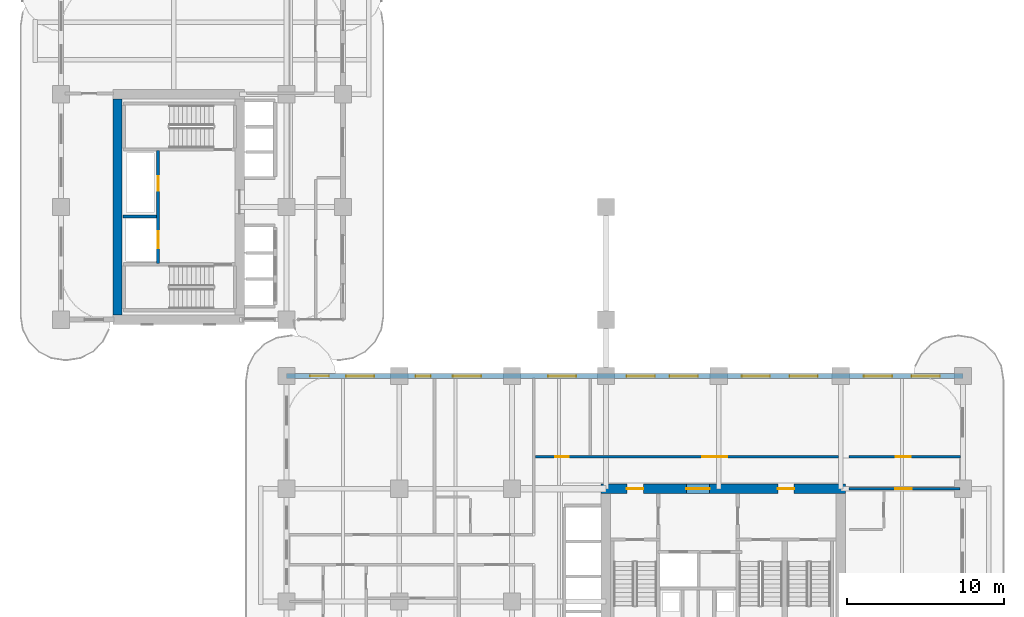
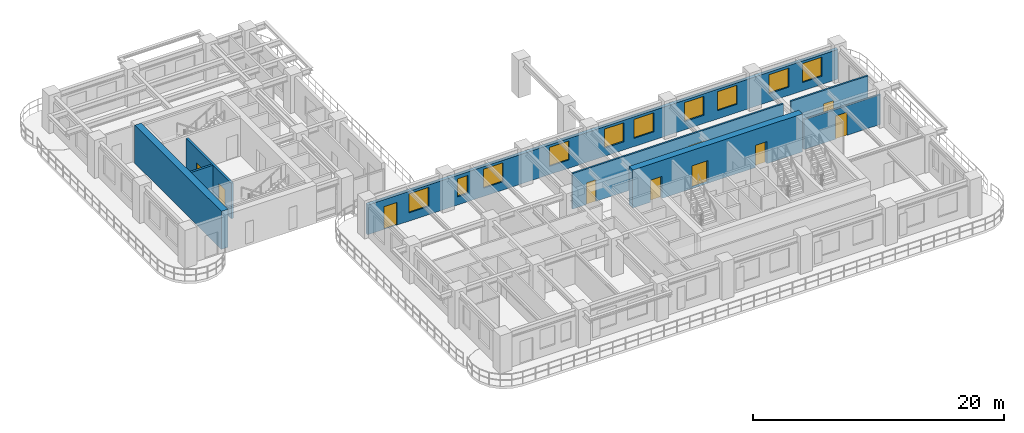
# One storey, part 10 of 19: 10 doors, 10 windows, 8 walls, 20 openings.
"""IFC4 building model written with IfcOpenShell, lengths in metres."""

from ifc_helpers import new_model, si_unit, derived_unit, direction, frame, frame_2d, origin, place, context, subcontext, project, spatial, rectangle, extrude, source, transform, mapped, material, layer, layer_set, type_object, type_shapes, element, fill, save


model = new_model("IFC4")

# Units and contexts
model_context = context("Model", 3, precision=1e-05, world=origin(), true_north=direction((0.0, 1.0)))
body_context = subcontext(model_context, "Body", "Model", "MODEL_VIEW")
ifc_project = project(units=[si_unit("LENGTHUNIT", "METRE"), si_unit("AREAUNIT", "SQUARE_METRE"), si_unit("VOLUMEUNIT", "CUBIC_METRE"), si_unit("PLANEANGLEUNIT", "RADIAN"), si_unit("MASSUNIT", "GRAM", prefix="KILO"), si_unit("THERMODYNAMICTEMPERATUREUNIT", "KELVIN"), si_unit("POWERUNIT", "WATT"), derived_unit("THERMALTRANSMITTANCEUNIT", [(si_unit("POWERUNIT", "WATT"), 1), (si_unit("AREAUNIT", "SQUARE_METRE"), -1), (si_unit("THERMODYNAMICTEMPERATUREUNIT", "KELVIN"), -1)])], contexts=[model_context])

# Site, building, storey
site_placement = place(None, origin())
site = spatial("IfcSite", under=ifc_project, at=site_placement, CompositionType="ELEMENT")
building_placement = place(site_placement, origin())
building = spatial("IfcBuilding", under=site, at=building_placement, Name="Zahravan Archway Hotel and Residences", CompositionType="ELEMENT")
storey_placement = place(building_placement, frame((0.0, 0.0, 62.0)))
storey = spatial("IfcBuildingStorey", under=building, at=storey_placement, Name="L14", CompositionType="ELEMENT", Elevation=62.0)

# Wall, openings, doors
ifc_material_1 = material(Name="Concrete C70/85", Category="concrete")
ifc_layer_1 = layer(ifc_material_1, 0.60009765625, Name="Concrete C70/85", Category="concrete")
ifc_layer_set_1 = layer_set([ifc_layer_1], Name="Concrete C70/85")
wall_type_1 = type_object("IfcWallType", Name="CW-CORE-600", PredefinedType="SHEAR", material=ifc_layer_set_1)
wall_1_placement = place(storey_placement, frame((34.5, 14.39990234375, 0.0), z_axis=(0.0, 0.0, 1.0), x_axis=(1.0, 0.0, 0.0)))
wall_1 = element("IfcWall", 1, at=wall_1_placement, inside=storey, type_object=wall_type_1, Name="L14 Core A Shear N Wall 600 mm", PredefinedType="SHEAR", context=body_context, shape_type="SweptSolid", body=[
    extrude(rectangle(XDim=15.60009765625, YDim=0.60009765625, at=frame_2d((7.800048828125, 0.0))), origin(), (0.0, 0.0, 1.0), 3.699951171875),
])
opening_1_placement = place(wall_1_placement, frame((5.429931640625, 0.0, 0.0)))
opening_1 = element("IfcOpeningElement", 2, at=opening_1_placement, cuts=wall_1, Name="Opening FD-L1", PredefinedType="OPENING", context=body_context, shape_type="SweptSolid", body=[
    extrude(rectangle(XDim=1.5, YDim=2.199951171875, at=frame_2d((0.75, 1.10009765625))), frame((0.0, 0.31005859375, 0.0), z_axis=(0.0, -1.0, 0.0), x_axis=(1.0, 0.0, 0.0)), (0.0, 0.0, 1.0), 0.6201171875),
])
opening_2_placement = place(wall_1_placement, frame((1.64501953125, 0.0, 0.0)))
opening_2 = element("IfcOpeningElement", 3, at=opening_2_placement, cuts=wall_1, Name="Opening FD-L2", PredefinedType="OPENING", context=body_context, shape_type="SweptSolid", body=[
    extrude(rectangle(XDim=1.050048828125, YDim=2.14990234375, at=frame_2d((0.52490234375, 1.074951171875))), frame((0.0, 0.31005859375, 0.0), z_axis=(0.0, -1.0, 0.0), x_axis=(1.0, 0.0, 0.0)), (0.0, 0.0, 1.0), 0.6201171875),
])
opening_3_placement = place(wall_1_placement, frame((11.27490234375, 0.0, 0.0)))
opening_3 = element("IfcOpeningElement", 4, at=opening_3_placement, cuts=wall_1, Name="Opening FD-L2", PredefinedType="OPENING", context=body_context, shape_type="SweptSolid", body=[
    extrude(rectangle(XDim=1.050048828125, YDim=2.14990234375, at=frame_2d((0.52490234375, 1.074951171875))), frame((0.0, 0.31005859375, 0.0), z_axis=(0.0, -1.0, 0.0), x_axis=(1.0, 0.0, 0.0)), (0.0, 0.0, 1.0), 0.6201171875),
])
ifc_material_2 = material(Name="Fire-Rated Painted Steel", Category="steel")
door_type_1 = type_object("IfcDoorType", Name="FD-LOBBY-1100", OperationType="NOTDEFINED", PredefinedType="DOOR", material=ifc_material_2)
shared_shape_1 = source(origin(), body_context, "Body", "SweptSolid", [
    extrude(rectangle(XDim=1.050048828125, YDim=2.14990234375, at=frame_2d((0.52490234375, 1.074951171875))), frame((0.0, 0.02490234375, 0.0), z_axis=(0.0, -1.0, 0.0), x_axis=(1.0, 0.0, 0.0)), (0.0, 0.0, 1.0), 0.050048828125),
])
type_shapes(door_type_1, [shared_shape_1])
door_1_placement = place(opening_2_placement, origin())
door_1 = element("IfcDoor", 5, at=door_1_placement, inside=storey, type_object=door_type_1, Name="L14 Core A West Stair Lobby Door", OperationType="SINGLE_SWING_RIGHT", OverallHeight=2.14990234375, OverallWidth=1.050048828125, PredefinedType="DOOR", context=body_context, shape_type="MappedRepresentation", body=[
    mapped(shared_shape_1, transform((0.0, 0.0, 0.0), scale=1.0)),
])
fill(opening_2, door_1)
door_2_placement = place(opening_3_placement, origin())
door_2 = element("IfcDoor", 6, at=door_2_placement, inside=storey, type_object=door_type_1, Name="L14 Core A East Stair Lobby Door", OperationType="SINGLE_SWING_LEFT", OverallHeight=2.14990234375, OverallWidth=1.050048828125, PredefinedType="DOOR", context=body_context, shape_type="MappedRepresentation", body=[
    mapped(shared_shape_1, transform((0.0, 0.0, 0.0), scale=1.0)),
])
fill(opening_3, door_2)
door_type_2 = type_object("IfcDoorType", Name="FD-LOBBY-1500", OperationType="DOUBLE_DOOR_SINGLE_SWING", PredefinedType="DOOR", material=ifc_material_2)
shared_shape_2 = source(origin(), body_context, "Body", "SweptSolid", [
    extrude(rectangle(XDim=1.5, YDim=2.199951171875, at=frame_2d((0.75, 1.10009765625))), frame((0.0, 0.02490234375, 0.0), z_axis=(0.0, -1.0, 0.0), x_axis=(1.0, 0.0, 0.0)), (0.0, 0.0, 1.0), 0.050048828125),
])
type_shapes(door_type_2, [shared_shape_2])
door_3_placement = place(opening_1_placement, origin())
door_3 = element("IfcDoor", 7, at=door_3_placement, inside=storey, type_object=door_type_2, Name="L14 Core A FSAE Lobby Main Door", OperationType="DOUBLE_DOOR_SINGLE_SWING", OverallHeight=2.199951171875, OverallWidth=1.5, PredefinedType="DOOR", context=body_context, shape_type="MappedRepresentation", body=[
    mapped(shared_shape_2, transform((0.0, 0.0, 0.0), scale=1.0)),
])
fill(opening_1, door_3)

# Wall
wall_2_placement = place(storey_placement, frame((3.60009765625, 25.5, 0.0), z_axis=(0.0, 0.0, 1.0), x_axis=(0.0, 1.0, 0.0)))
element("IfcWall", 8, at=wall_2_placement, inside=storey, type_object=wall_type_1, Name="L14 Core B Shear W Wall 600 mm", PredefinedType="SHEAR", context=body_context, shape_type="SweptSolid", body=[
    extrude(rectangle(XDim=13.800048828125, YDim=0.60009765625, at=frame_2d((6.89990234375, 0.0))), origin(), (0.0, 0.0, 1.0), 3.699951171875),
])

# Wall, openings, door, windows
ifc_material_3 = material(Name="Agra Buff Sandstone & Insulated Backup", Category="masonry")
ifc_layer_2 = layer(ifc_material_3, 0.320068359375, Name="Agra Buff Sandstone & Insulated Backup", Category="masonry")
ifc_layer_set_2 = layer_set([ifc_layer_2], Name="Agra Buff Sandstone & Insulated Backup")
wall_type_2 = type_object("IfcWallType", Name="EW-SAND-320", PredefinedType="SOLIDWALL", material=ifc_layer_set_2)
wall_3_placement = place(storey_placement, frame((14.39990234375, 21.60009765625, 0.0), z_axis=(0.0, 0.0, 1.0), x_axis=(1.0, 0.0, 0.0)))
wall_3 = element("IfcWall", 9, at=wall_3_placement, inside=storey, type_object=wall_type_2, Name="L14 Exterior Sandstone Wall WA-NE", PredefinedType="SOLIDWALL", context=body_context, shape_type="SweptSolid", body=[
    extrude(rectangle(XDim=43.2001953125, YDim=0.320068359375, at=frame_2d((21.60009765625, 0.0))), origin(), (0.0, 0.0, 1.0), 2.885009765625),
])
opening_4_placement = place(wall_3_placement, frame((1.5, 0.0, 0.0)))
opening_4 = element("IfcOpeningElement", 10, at=opening_4_placement, cuts=wall_3, Name="Opening ED-BL1", PredefinedType="OPENING", context=body_context, shape_type="SweptSolid", body=[
    extrude(rectangle(XDim=1.199951171875, YDim=2.199951171875, at=frame_2d((0.60009765625, 1.10009765625))), frame((0.0, 0.169921875, 0.0), z_axis=(0.0, -1.0, 0.0), x_axis=(1.0, 0.0, 0.0)), (0.0, 0.0, 1.0), 0.340087890625),
])
opening_5_placement = place(wall_3_placement, frame((3.800048828125, 0.0, 0.800048828125)))
opening_5 = element("IfcOpeningElement", 11, at=opening_5_placement, cuts=wall_3, Name="Opening W-02", PredefinedType="OPENING", context=body_context, shape_type="SweptSolid", body=[
    extrude(rectangle(XDim=1.800048828125, YDim=1.85009765625, at=frame_2d((0.89990234375, 0.925048828125))), frame((0.0, 0.169921875, 0.0), z_axis=(0.0, -1.0, 0.0), x_axis=(1.0, 0.0, 0.0)), (0.0, 0.0, 1.0), 0.340087890625),
])
opening_6_placement = place(wall_3_placement, frame((8.24609375, 0.0, 0.800048828125)))
opening_6 = element("IfcOpeningElement", 12, at=opening_6_placement, cuts=wall_3, Name="Opening W-04", PredefinedType="OPENING", context=body_context, shape_type="SweptSolid", body=[
    extrude(rectangle(XDim=0.949951171875, YDim=1.75, at=frame_2d((0.47509765625, 0.875))), frame((0.0, 0.169921875, 0.0), z_axis=(0.0, -1.0, 0.0), x_axis=(1.0, 0.0, 0.0)), (0.0, 0.0, 1.0), 0.340087890625),
])
opening_7_placement = place(wall_3_placement, frame((10.62890625, 0.0, 0.800048828125)))
opening_7 = element("IfcOpeningElement", 13, at=opening_7_placement, cuts=wall_3, Name="Opening W-02", PredefinedType="OPENING", context=body_context, shape_type="SweptSolid", body=[
    extrude(rectangle(XDim=1.800048828125, YDim=1.85009765625, at=frame_2d((0.89990234375, 0.925048828125))), frame((0.0, 0.169921875, 0.0), z_axis=(0.0, -1.0, 0.0), x_axis=(1.0, 0.0, 0.0)), (0.0, 0.0, 1.0), 0.340087890625),
])
opening_8_placement = place(wall_3_placement, frame((16.700927734375, 0.0, 0.800048828125)))
opening_8 = element("IfcOpeningElement", 14, at=opening_8_placement, cuts=wall_3, Name="Opening W-02", PredefinedType="OPENING", context=body_context, shape_type="SweptSolid", body=[
    extrude(rectangle(XDim=1.800048828125, YDim=1.85009765625, at=frame_2d((0.89990234375, 0.925048828125))), frame((0.0, 0.169921875, 0.0), z_axis=(0.0, -1.0, 0.0), x_axis=(1.0, 0.0, 0.0)), (0.0, 0.0, 1.0), 0.340087890625),
])
opening_9_placement = place(wall_3_placement, frame((21.72509765625, 0.0, 0.800048828125)))
opening_9 = element("IfcOpeningElement", 15, at=opening_9_placement, cuts=wall_3, Name="Opening W-02", PredefinedType="OPENING", context=body_context, shape_type="SweptSolid", body=[
    extrude(rectangle(XDim=1.800048828125, YDim=1.85009765625, at=frame_2d((0.89990234375, 0.925048828125))), frame((0.0, 0.169921875, 0.0), z_axis=(0.0, -1.0, 0.0), x_axis=(1.0, 0.0, 0.0)), (0.0, 0.0, 1.0), 0.340087890625),
])
opening_10_placement = place(wall_3_placement, frame((24.47509765625, 0.0, 0.800048828125)))
opening_10 = element("IfcOpeningElement", 16, at=opening_10_placement, cuts=wall_3, Name="Opening W-02", PredefinedType="OPENING", context=body_context, shape_type="SweptSolid", body=[
    extrude(rectangle(XDim=1.800048828125, YDim=1.85009765625, at=frame_2d((0.89990234375, 0.925048828125))), frame((0.0, 0.169921875, 0.0), z_axis=(0.0, -1.0, 0.0), x_axis=(1.0, 0.0, 0.0)), (0.0, 0.0, 1.0), 0.340087890625),
])
opening_11_placement = place(wall_3_placement, frame((29.074951171875, 0.0, 0.800048828125)))
opening_11 = element("IfcOpeningElement", 17, at=opening_11_placement, cuts=wall_3, Name="Opening W-02", PredefinedType="OPENING", context=body_context, shape_type="SweptSolid", body=[
    extrude(rectangle(XDim=1.800048828125, YDim=1.85009765625, at=frame_2d((0.89990234375, 0.925048828125))), frame((0.0, 0.169921875, 0.0), z_axis=(0.0, -1.0, 0.0), x_axis=(1.0, 0.0, 0.0)), (0.0, 0.0, 1.0), 0.340087890625),
])
opening_12_placement = place(wall_3_placement, frame((32.125, 0.0, 0.800048828125)))
opening_12 = element("IfcOpeningElement", 18, at=opening_12_placement, cuts=wall_3, Name="Opening W-02", PredefinedType="OPENING", context=body_context, shape_type="SweptSolid", body=[
    extrude(rectangle(XDim=1.800048828125, YDim=1.85009765625, at=frame_2d((0.89990234375, 0.925048828125))), frame((0.0, 0.169921875, 0.0), z_axis=(0.0, -1.0, 0.0), x_axis=(1.0, 0.0, 0.0)), (0.0, 0.0, 1.0), 0.340087890625),
])
opening_13_placement = place(wall_3_placement, frame((36.875, 0.0, 0.800048828125)))
opening_13 = element("IfcOpeningElement", 19, at=opening_13_placement, cuts=wall_3, Name="Opening W-02", PredefinedType="OPENING", context=body_context, shape_type="SweptSolid", body=[
    extrude(rectangle(XDim=1.800048828125, YDim=1.85009765625, at=frame_2d((0.89990234375, 0.925048828125))), frame((0.0, 0.169921875, 0.0), z_axis=(0.0, -1.0, 0.0), x_axis=(1.0, 0.0, 0.0)), (0.0, 0.0, 1.0), 0.340087890625),
])
opening_14_placement = place(wall_3_placement, frame((39.925048828125, 0.0, 0.800048828125)))
opening_14 = element("IfcOpeningElement", 20, at=opening_14_placement, cuts=wall_3, Name="Opening W-02", PredefinedType="OPENING", context=body_context, shape_type="SweptSolid", body=[
    extrude(rectangle(XDim=1.800048828125, YDim=1.85009765625, at=frame_2d((0.89990234375, 0.925048828125))), frame((0.0, 0.169921875, 0.0), z_axis=(0.0, -1.0, 0.0), x_axis=(1.0, 0.0, 0.0)), (0.0, 0.0, 1.0), 0.340087890625),
])
ifc_material_4 = material(Name="Bronze-Anodized Glazed Aluminium", Category="aluminium")
door_type_3 = type_object("IfcDoorType", Name="ED-BALC-1200", OperationType="SLIDING_TO_LEFT", PredefinedType="DOOR", material=ifc_material_4)
shared_shape_3 = source(origin(), body_context, "Body", "SweptSolid", [
    extrude(rectangle(XDim=1.199951171875, YDim=2.199951171875, at=frame_2d((0.60009765625, 1.10009765625))), frame((0.0, 0.02490234375, 0.0), z_axis=(0.0, -1.0, 0.0), x_axis=(1.0, 0.0, 0.0)), (0.0, 0.0, 1.0), 0.050048828125),
])
type_shapes(door_type_3, [shared_shape_3])
door_4_placement = place(opening_4_placement, origin())
door_4 = element("IfcDoor", 21, at=door_4_placement, inside=storey, type_object=door_type_3, Name="L14 Outdoor Access Sliding Door (SLB-BAL-L14-WA)", OperationType="SLIDING_TO_LEFT", OverallHeight=2.199951171875, OverallWidth=1.199951171875, PredefinedType="DOOR", context=body_context, shape_type="MappedRepresentation", body=[
    mapped(shared_shape_3, transform((0.0, 0.0, 0.0), scale=1.0)),
])
fill(opening_4, door_4)
ifc_material_5 = material(Name="Bronze-Anodized Thermal-Break Aluminium & Low-E Glass", Category="aluminium")
window_type_1 = type_object("IfcWindowType", Name="WIN-NAR-950", PartitioningType="SINGLE_PANEL", PredefinedType="WINDOW", material=ifc_material_5)
shared_shape_4 = source(origin(), body_context, "Body", "SweptSolid", [
    extrude(rectangle(XDim=0.949951171875, YDim=1.75, at=frame_2d((0.47509765625, 0.875))), frame((0.0, 0.030029296875, 0.0), z_axis=(0.0, -1.0, 0.0), x_axis=(1.0, 0.0, 0.0)), (0.0, 0.0, 1.0), 0.06005859375),
])
type_shapes(window_type_1, [shared_shape_4])
window_1_placement = place(opening_6_placement, origin())
window_1 = element("IfcWindow", 22, at=window_1_placement, inside=storey, type_object=window_type_1, Name="L14 Loggia Window 18", OverallHeight=1.75, OverallWidth=0.949951171875, PartitioningType="SINGLE_PANEL", PredefinedType="WINDOW", context=body_context, shape_type="MappedRepresentation", body=[
    mapped(shared_shape_4, transform((0.0, 0.0, 0.0), scale=1.0)),
])
fill(opening_6, window_1)
window_type_2 = type_object("IfcWindowType", Name="WIN-TWR-1800", PartitioningType="DOUBLE_PANEL_VERTICAL", PredefinedType="WINDOW", material=ifc_material_5)
shared_shape_5 = source(origin(), body_context, "Body", "SweptSolid", [
    extrude(rectangle(XDim=1.800048828125, YDim=1.85009765625, at=frame_2d((0.89990234375, 0.925048828125))), frame((0.0, 0.030029296875, 0.0), z_axis=(0.0, -1.0, 0.0), x_axis=(1.0, 0.0, 0.0)), (0.0, 0.0, 1.0), 0.06005859375),
])
type_shapes(window_type_2, [shared_shape_5])
window_2_placement = place(opening_5_placement, origin())
window_2 = element("IfcWindow", 23, at=window_2_placement, inside=storey, type_object=window_type_2, Name="L14 Loggia Window 17", OverallHeight=1.85009765625, OverallWidth=1.800048828125, PartitioningType="DOUBLE_PANEL_VERTICAL", PredefinedType="WINDOW", context=body_context, shape_type="MappedRepresentation", body=[
    mapped(shared_shape_5, transform((0.0, 0.0, 0.0), scale=1.0)),
])
fill(opening_5, window_2)
window_3_placement = place(opening_7_placement, origin())
window_3 = element("IfcWindow", 24, at=window_3_placement, inside=storey, type_object=window_type_2, Name="L14 Loggia Window 19", OverallHeight=1.85009765625, OverallWidth=1.800048828125, PartitioningType="DOUBLE_PANEL_VERTICAL", PredefinedType="WINDOW", context=body_context, shape_type="MappedRepresentation", body=[
    mapped(shared_shape_5, transform((0.0, 0.0, 0.0), scale=1.0)),
])
fill(opening_7, window_3)
window_4_placement = place(opening_8_placement, origin())
window_4 = element("IfcWindow", 25, at=window_4_placement, inside=storey, type_object=window_type_2, Name="L14 Loggia Window 20", OverallHeight=1.85009765625, OverallWidth=1.800048828125, PartitioningType="DOUBLE_PANEL_VERTICAL", PredefinedType="WINDOW", context=body_context, shape_type="MappedRepresentation", body=[
    mapped(shared_shape_5, transform((0.0, 0.0, 0.0), scale=1.0)),
])
fill(opening_8, window_4)
window_5_placement = place(opening_9_placement, origin())
window_5 = element("IfcWindow", 26, at=window_5_placement, inside=storey, type_object=window_type_2, Name="L14 Loggia Window 21", OverallHeight=1.85009765625, OverallWidth=1.800048828125, PartitioningType="DOUBLE_PANEL_VERTICAL", PredefinedType="WINDOW", context=body_context, shape_type="MappedRepresentation", body=[
    mapped(shared_shape_5, transform((0.0, 0.0, 0.0), scale=1.0)),
])
fill(opening_9, window_5)
window_6_placement = place(opening_10_placement, origin())
window_6 = element("IfcWindow", 27, at=window_6_placement, inside=storey, type_object=window_type_2, Name="L14 Loggia Window 22", OverallHeight=1.85009765625, OverallWidth=1.800048828125, PartitioningType="DOUBLE_PANEL_VERTICAL", PredefinedType="WINDOW", context=body_context, shape_type="MappedRepresentation", body=[
    mapped(shared_shape_5, transform((0.0, 0.0, 0.0), scale=1.0)),
])
fill(opening_10, window_6)
window_7_placement = place(opening_11_placement, origin())
window_7 = element("IfcWindow", 28, at=window_7_placement, inside=storey, type_object=window_type_2, Name="L14 Loggia Window 23", OverallHeight=1.85009765625, OverallWidth=1.800048828125, PartitioningType="DOUBLE_PANEL_VERTICAL", PredefinedType="WINDOW", context=body_context, shape_type="MappedRepresentation", body=[
    mapped(shared_shape_5, transform((0.0, 0.0, 0.0), scale=1.0)),
])
fill(opening_11, window_7)
window_8_placement = place(opening_12_placement, origin())
window_8 = element("IfcWindow", 29, at=window_8_placement, inside=storey, type_object=window_type_2, Name="L14 Loggia Window 24", OverallHeight=1.85009765625, OverallWidth=1.800048828125, PartitioningType="DOUBLE_PANEL_VERTICAL", PredefinedType="WINDOW", context=body_context, shape_type="MappedRepresentation", body=[
    mapped(shared_shape_5, transform((0.0, 0.0, 0.0), scale=1.0)),
])
fill(opening_12, window_8)
window_9_placement = place(opening_13_placement, origin())
window_9 = element("IfcWindow", 30, at=window_9_placement, inside=storey, type_object=window_type_2, Name="L14 Loggia Window 25", OverallHeight=1.85009765625, OverallWidth=1.800048828125, PartitioningType="DOUBLE_PANEL_VERTICAL", PredefinedType="WINDOW", context=body_context, shape_type="MappedRepresentation", body=[
    mapped(shared_shape_5, transform((0.0, 0.0, 0.0), scale=1.0)),
])
fill(opening_13, window_9)
window_10_placement = place(opening_14_placement, origin())
window_10 = element("IfcWindow", 31, at=window_10_placement, inside=storey, type_object=window_type_2, Name="L14 Loggia Window 26", OverallHeight=1.85009765625, OverallWidth=1.800048828125, PartitioningType="DOUBLE_PANEL_VERTICAL", PredefinedType="WINDOW", context=body_context, shape_type="MappedRepresentation", body=[
    mapped(shared_shape_5, transform((0.0, 0.0, 0.0), scale=1.0)),
])
fill(opening_14, window_10)

# Wall, openings, doors
ifc_material_6 = material(Name="Fire-Rated Gypsum & Concrete Block", Category="concrete")
ifc_layer_3 = layer(ifc_material_6, 0.159912109375, Name="Fire-Rated Gypsum & Concrete Block", Category="concrete")
ifc_layer_set_3 = layer_set([ifc_layer_3], Name="Fire-Rated Gypsum & Concrete Block")
wall_type_3 = type_object("IfcWallType", Name="PW-CORR-160", PredefinedType="PARTITIONING", material=ifc_layer_set_3)
wall_4_placement = place(storey_placement, frame((30.2900390625, 16.449951171875, 0.0), z_axis=(0.0, 0.0, 1.0), x_axis=(1.0, 0.0, 0.0)))
wall_4 = element("IfcWall", 32, at=wall_4_placement, inside=storey, type_object=wall_type_3, Name="L14 Partition WA-FN", PredefinedType="PARTITIONING", context=body_context, shape_type="SweptSolid", body=[
    extrude(rectangle(XDim=19.369873046875, YDim=0.159912109375, at=frame_2d((9.68505859375, 0.0))), origin(), (0.0, 0.0, 1.0), 3.449951171875),
])
opening_15_placement = place(wall_4_placement, frame((1.284912109375, 0.0, 0.0)))
opening_15 = element("IfcOpeningElement", 33, at=opening_15_placement, cuts=wall_4, Name="Opening D-B1", PredefinedType="OPENING", context=body_context, shape_type="SweptSolid", body=[
    extrude(rectangle(XDim=0.85009765625, YDim=2.10009765625, at=frame_2d((0.425048828125, 1.050048828125))), frame((0.0, 0.08984375, 0.0), z_axis=(0.0, -1.0, 0.0), x_axis=(1.0, 0.0, 0.0)), (0.0, 0.0, 1.0), 0.179931640625),
])
opening_16_placement = place(wall_4_placement, frame((10.659912109375, 0.0, 0.0)))
opening_16 = element("IfcOpeningElement", 34, at=opening_16_placement, cuts=wall_4, Name="Opening D-P2", PredefinedType="OPENING", context=body_context, shape_type="SweptSolid", body=[
    extrude(rectangle(XDim=1.60009765625, YDim=2.39990234375, at=frame_2d((0.800048828125, 1.199951171875))), frame((0.0, 0.08984375, 0.0), z_axis=(0.0, -1.0, 0.0), x_axis=(1.0, 0.0, 0.0)), (0.0, 0.0, 1.0), 0.179931640625),
])
door_type_4 = type_object("IfcDoorType", Name="ID-PUBLIC-1600", OperationType="DOUBLE_DOOR_SINGLE_SWING", PredefinedType="DOOR", material=ifc_material_4)
shared_shape_6 = source(origin(), body_context, "Body", "SweptSolid", [
    extrude(rectangle(XDim=1.60009765625, YDim=2.39990234375, at=frame_2d((0.800048828125, 1.199951171875))), frame((0.0, 0.02490234375, 0.0), z_axis=(0.0, -1.0, 0.0), x_axis=(1.0, 0.0, 0.0)), (0.0, 0.0, 1.0), 0.050048828125),
])
type_shapes(door_type_4, [shared_shape_6])
door_5_placement = place(opening_16_placement, origin())
door_5 = element("IfcDoor", 35, at=door_5_placement, inside=storey, type_object=door_type_4, Name="L14 North Fitness Gym Door", OperationType="DOUBLE_DOOR_SINGLE_SWING", OverallHeight=2.39990234375, OverallWidth=1.60009765625, PredefinedType="DOOR", context=body_context, shape_type="MappedRepresentation", body=[
    mapped(shared_shape_6, transform((0.0, 0.0, 0.0), scale=1.0)),
])
fill(opening_16, door_5)
ifc_material_7 = material(Name="Hardwood Veneer Timber", Category="wood")
door_type_5 = type_object("IfcDoorType", Name="ID-BATH-850", OperationType="NOTDEFINED", PredefinedType="DOOR", material=ifc_material_7)
shared_shape_7 = source(origin(), body_context, "Body", "SweptSolid", [
    extrude(rectangle(XDim=0.85009765625, YDim=2.10009765625, at=frame_2d((0.425048828125, 1.050048828125))), frame((0.0, 0.02490234375, 0.0), z_axis=(0.0, -1.0, 0.0), x_axis=(1.0, 0.0, 0.0)), (0.0, 0.0, 1.0), 0.050048828125),
])
type_shapes(door_type_5, [shared_shape_7])
door_6_placement = place(opening_15_placement, origin())
door_6 = element("IfcDoor", 36, at=door_6_placement, inside=storey, type_object=door_type_5, Name="L14 Accessible Restroom Door", OperationType="SINGLE_SWING_LEFT", OverallHeight=2.10009765625, OverallWidth=0.85009765625, PredefinedType="DOOR", context=body_context, shape_type="MappedRepresentation", body=[
    mapped(shared_shape_7, transform((0.0, 0.0, 0.0), scale=1.0)),
])
fill(opening_15, door_6)

# Wall, opening, door
wall_5_placement = place(storey_placement, frame((50.340087890625, 16.449951171875, 0.0), z_axis=(0.0, 0.0, 1.0), x_axis=(1.0, 0.0, 0.0)))
wall_5 = element("IfcWall", 37, at=wall_5_placement, inside=storey, type_object=wall_type_3, Name="L14 Partition EA-PN", PredefinedType="PARTITIONING", context=body_context, shape_type="SweptSolid", body=[
    extrude(rectangle(XDim=7.091796875, YDim=0.159912109375, at=frame_2d((3.5458984375, 0.0))), origin(), (0.0, 0.0, 1.0), 3.449951171875),
])
opening_17_placement = place(wall_5_placement, frame((2.985107421875, 0.0, 0.0)))
opening_17 = element("IfcOpeningElement", 38, at=opening_17_placement, cuts=wall_5, Name="Opening D-I1", PredefinedType="OPENING", context=body_context, shape_type="SweptSolid", body=[
    extrude(rectangle(XDim=0.949951171875, YDim=2.14990234375, at=frame_2d((0.47509765625, 1.074951171875))), frame((0.0, 0.08984375, 0.0), z_axis=(0.0, -1.0, 0.0), x_axis=(1.0, 0.0, 0.0)), (0.0, 0.0, 1.0), 0.179931640625),
])
door_type_6 = type_object("IfcDoorType", Name="ID-INT-950", OperationType="NOTDEFINED", PredefinedType="DOOR", material=ifc_material_7)
shared_shape_8 = source(origin(), body_context, "Body", "SweptSolid", [
    extrude(rectangle(XDim=0.949951171875, YDim=2.14990234375, at=frame_2d((0.47509765625, 1.074951171875))), frame((0.0, 0.02490234375, 0.0), z_axis=(0.0, -1.0, 0.0), x_axis=(1.0, 0.0, 0.0)), (0.0, 0.0, 1.0), 0.050048828125),
])
type_shapes(door_type_6, [shared_shape_8])
door_7_placement = place(opening_17_placement, origin())
door_7 = element("IfcDoor", 39, at=door_7_placement, inside=storey, type_object=door_type_6, Name="L14 East Tea Kitchenette Door", OperationType="SINGLE_SWING_RIGHT", OverallHeight=2.14990234375, OverallWidth=0.949951171875, PredefinedType="DOOR", context=body_context, shape_type="MappedRepresentation", body=[
    mapped(shared_shape_8, transform((0.0, 0.0, 0.0), scale=1.0)),
])
fill(opening_17, door_7)

# Wall, openings, doors
ifc_layer_4 = layer(ifc_material_6, 0.199951171875, Name="Fire-Rated Gypsum & Concrete Block", Category="concrete")
ifc_layer_set_4 = layer_set([ifc_layer_4], Name="Fire-Rated Gypsum & Concrete Block")
wall_type_4 = type_object("IfcWallType", Name="PW-SHAFT-200", PredefinedType="PARTITIONING", material=ifc_layer_set_4)
wall_6_placement = place(storey_placement, frame((6.199951171875, 28.7900390625, 0.0), z_axis=(0.0, 0.0, 1.0), x_axis=(0.0, 1.0, 0.0)))
wall_6 = element("IfcWall", 40, at=wall_6_placement, inside=storey, type_object=wall_type_4, Name="L14 Partition CB-FL3E", PredefinedType="PARTITIONING", context=body_context, shape_type="SweptSolid", body=[
    extrude(rectangle(XDim=7.219970703125, YDim=0.199951171875, at=frame_2d((3.60986328125, 0.0))), origin(), (0.0, 0.0, 1.0), 3.449951171875),
])
opening_18_placement = place(wall_6_placement, frame((4.659912109375, 0.0, 0.0)))
opening_18 = element("IfcOpeningElement", 41, at=opening_18_placement, cuts=wall_6, Name="Opening FD-R1", PredefinedType="OPENING", context=body_context, shape_type="SweptSolid", body=[
    extrude(rectangle(XDim=0.89990234375, YDim=2.10009765625, at=frame_2d((0.449951171875, 1.050048828125))), frame((0.0, 0.10986328125, 0.0), z_axis=(0.0, -1.0, 0.0), x_axis=(1.0, 0.0, 0.0)), (0.0, 0.0, 1.0), 0.219970703125),
])
opening_19_placement = place(wall_6_placement, frame((0.9599609375, 0.0, 0.0)))
opening_19 = element("IfcOpeningElement", 42, at=opening_19_placement, cuts=wall_6, Name="Opening LD", PredefinedType="OPENING", context=body_context, shape_type="SweptSolid", body=[
    extrude(rectangle(XDim=1.10009765625, YDim=2.199951171875, at=frame_2d((0.550048828125, 1.10009765625))), frame((0.0, 0.10986328125, 0.0), z_axis=(0.0, -1.0, 0.0), x_axis=(1.0, 0.0, 0.0)), (0.0, 0.0, 1.0), 0.219970703125),
])
door_type_7 = type_object("IfcDoorType", Name="FD-RISER-900", OperationType="NOTDEFINED", PredefinedType="DOOR", material=ifc_material_2)
shared_shape_9 = source(origin(), body_context, "Body", "SweptSolid", [
    extrude(rectangle(XDim=0.89990234375, YDim=2.10009765625, at=frame_2d((0.449951171875, 1.050048828125))), frame((0.0, 0.02490234375, 0.0), z_axis=(0.0, -1.0, 0.0), x_axis=(1.0, 0.0, 0.0)), (0.0, 0.0, 1.0), 0.050048828125),
])
type_shapes(door_type_7, [shared_shape_9])
door_8_placement = place(opening_18_placement, origin())
door_8 = element("IfcDoor", 43, at=door_8_placement, inside=storey, type_object=door_type_7, Name="L14 Core B Riser Door", OperationType="SINGLE_SWING_RIGHT", OverallHeight=2.10009765625, OverallWidth=0.89990234375, PredefinedType="DOOR", context=body_context, shape_type="MappedRepresentation", body=[
    mapped(shared_shape_9, transform((0.0, 0.0, 0.0), scale=1.0)),
])
fill(opening_18, door_8)
ifc_material_8 = material(Name="Brushed Stainless Steel", Category="steel")
door_type_8 = type_object("IfcDoorType", Name="DR-LIFT-LD", OperationType="SLIDING_TO_LEFT", PredefinedType="DOOR", material=ifc_material_8)
shared_shape_10 = source(origin(), body_context, "Body", "SweptSolid", [
    extrude(rectangle(XDim=1.10009765625, YDim=2.199951171875, at=frame_2d((0.550048828125, 1.10009765625))), frame((0.0, 0.02490234375, 0.0), z_axis=(0.0, -1.0, 0.0), x_axis=(1.0, 0.0, 0.0)), (0.0, 0.0, 1.0), 0.050048828125),
])
type_shapes(door_type_8, [shared_shape_10])
door_9_placement = place(opening_19_placement, origin())
door_9 = element("IfcDoor", 44, at=door_9_placement, inside=storey, type_object=door_type_8, Name="L14 Lift FL-3 Sliding Landing Door", OperationType="SLIDING_TO_LEFT", OverallHeight=2.199951171875, OverallWidth=1.10009765625, PredefinedType="DOOR", context=body_context, shape_type="MappedRepresentation", body=[
    mapped(shared_shape_10, transform((0.0, 0.0, 0.0), scale=1.0)),
])
fill(opening_19, door_9)

# Wall
wall_7_placement = place(storey_placement, frame((3.9599609375, 31.780029296875, 0.0), z_axis=(0.0, 0.0, 1.0), x_axis=(1.0, 0.0, 0.0)))
element("IfcWall", 45, at=wall_7_placement, inside=storey, type_object=wall_type_4, Name="L14 Partition CB-FL3N", PredefinedType="PARTITIONING", context=body_context, shape_type="SweptSolid", body=[
    extrude(rectangle(XDim=2.130126953125, YDim=0.199951171875, at=frame_2d((1.06494140625, 0.0))), origin(), (0.0, 0.0, 1.0), 3.449951171875),
])

# Wall, opening, door
ifc_material_9 = material(Name="Acoustic Stud Partition")
ifc_layer_5 = layer(ifc_material_9, 0.169921875, Name="Acoustic Stud Partition")
ifc_layer_set_5 = layer_set([ifc_layer_5], Name="Acoustic Stud Partition")
wall_type_5 = type_object("IfcWallType", Name="PW-UNIT-170", PredefinedType="PARTITIONING", material=ifc_layer_set_5)
wall_8_placement = place(storey_placement, frame((50.340087890625, 14.39990234375, 0.0), z_axis=(0.0, 0.0, 1.0), x_axis=(1.0, 0.0, 0.0)))
wall_8 = element("IfcWall", 46, at=wall_8_placement, inside=storey, type_object=wall_type_5, Name="L14 Partition EA-PS", PredefinedType="PARTITIONING", context=body_context, shape_type="SweptSolid", body=[
    extrude(rectangle(XDim=7.06982421875, YDim=0.169921875, at=frame_2d((3.534912109375, 0.0))), origin(), (0.0, 0.0, 1.0), 2.885009765625),
])
opening_20_placement = place(wall_8_placement, frame((2.93505859375, 0.0, 0.0)))
opening_20 = element("IfcOpeningElement", 47, at=opening_20_placement, cuts=wall_8, Name="Opening D-U1", PredefinedType="OPENING", context=body_context, shape_type="SweptSolid", body=[
    extrude(rectangle(XDim=1.050048828125, YDim=2.25, at=frame_2d((0.52490234375, 1.125))), frame((0.0, 0.094970703125, 0.0), z_axis=(0.0, -1.0, 0.0), x_axis=(1.0, 0.0, 0.0)), (0.0, 0.0, 1.0), 0.18994140625),
])
door_type_9 = type_object("IfcDoorType", Name="ID-UNIT-1050", OperationType="NOTDEFINED", PredefinedType="DOOR", material=ifc_material_7)
shared_shape_11 = source(origin(), body_context, "Body", "SweptSolid", [
    extrude(rectangle(XDim=1.050048828125, YDim=2.25, at=frame_2d((0.52490234375, 1.125))), frame((0.0, 0.02490234375, 0.0), z_axis=(0.0, -1.0, 0.0), x_axis=(1.0, 0.0, 0.0)), (0.0, 0.0, 1.0), 0.050048828125),
])
type_shapes(door_type_9, [shared_shape_11])
door_10_placement = place(opening_20_placement, origin())
door_10 = element("IfcDoor", 48, at=door_10_placement, inside=storey, type_object=door_type_9, Name="L14 East Suite Door", OperationType="SINGLE_SWING_LEFT", OverallHeight=2.25, OverallWidth=1.050048828125, PredefinedType="DOOR", context=body_context, shape_type="MappedRepresentation", body=[
    mapped(shared_shape_11, transform((0.0, 0.0, 0.0), scale=1.0)),
])
fill(opening_20, door_10)

save(model, "model.ifc")
